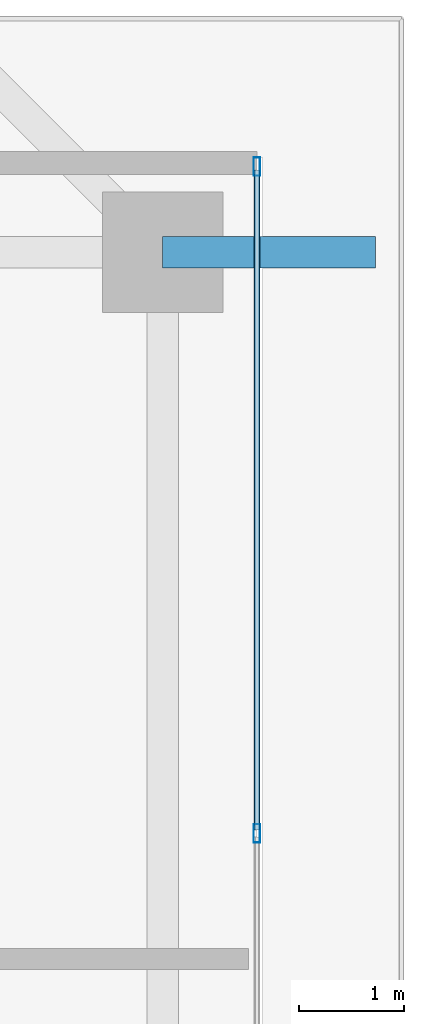
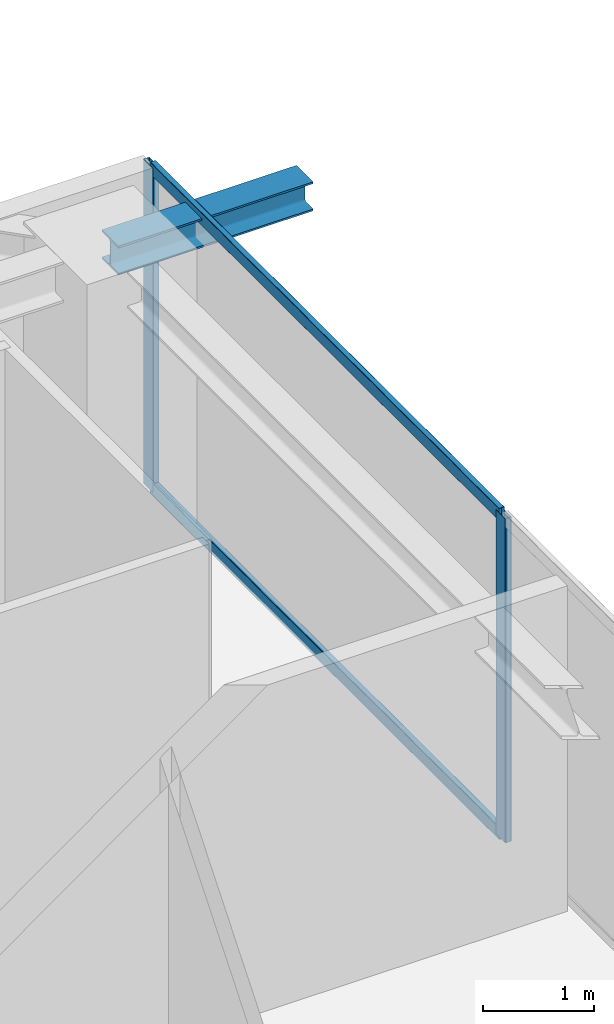
# One storey, part 21 of 35: 4 members, 1 beam, 1 element without a shape of its own.
"""IFC4 building model written with IfcOpenShell, lengths in metres."""

from ifc_helpers import new_model, si_unit, direction, frame, origin, origin_2d, place, context, subcontext, project, spatial, hollow_rectangle, i_section, extrude, source, transform, mapped, material, layer, layer_set, material_profile, profile_set, type_object, element, aggregate, save


model = new_model("IFC4")

# Units and contexts
model_context = context("Model", 3, precision=1e-05, world=origin(), true_north=direction((0.0, 1.0)))
body_context = subcontext(model_context, "Body", "Model", "MODEL_VIEW")
ifc_project = project(units=[si_unit("LENGTHUNIT", "METRE"), si_unit("AREAUNIT", "SQUARE_METRE"), si_unit("VOLUMEUNIT", "CUBIC_METRE"), si_unit("PLANEANGLEUNIT", "RADIAN"), si_unit("MASSUNIT", "GRAM", prefix="KILO")], contexts=[model_context])

# Site, building, storey
site_placement = place(None, origin())
site = spatial("IfcSite", under=ifc_project, at=site_placement, CompositionType="ELEMENT")
building_placement = place(site_placement, origin())
building = spatial("IfcBuilding", under=site, at=building_placement, Name="Serunith Strait Residences", CompositionType="ELEMENT")
storey_placement = place(building_placement, frame((0.0, 0.0, 210.449951171875)))
storey = spatial("IfcBuildingStorey", under=building, at=storey_placement, Name="L52", CompositionType="ELEMENT", Elevation=210.449951171875)

# Beam
ifc_material_1 = material(Name="Steel S355J2", Category="steel")
ifc_material_profile_1 = material_profile(ifc_material_1, i_section(OverallWidth=0.300048828125, OverallDepth=0.320068359375, WebThickness=0.011474609375, FlangeThickness=0.0205078125, FilletRadius=0.027099609375, at=origin_2d()), Name="HEB 320")
ifc_profile_set_1 = profile_set([ifc_material_profile_1], Name="Steel S355J2")
beam_type = type_object("IfcBeamType", Name="BM-HEB320", PredefinedType="BEAM", material=ifc_profile_set_1)
shared_shape_1 = source(origin(), body_context, "Body", "SweptSolid", [
    extrude(i_section(OverallWidth=0.300048828125, OverallDepth=0.320068359375, WebThickness=0.011474609375, FlangeThickness=0.0205078125, FilletRadius=0.027099609375, at=origin_2d()), origin(), (0.0, 0.0, 1.0), 2.030029296875),
])
beam_placement = place(storey_placement, frame((56.5, 40.35009765625, 3.39697265625), z_axis=(1.0, 0.0, 0.0), x_axis=(0.0, 1.0, 0.0)))
element("IfcBeam", 1, at=beam_placement, inside=storey, type_object=beam_type, Name="L53 Cantilevered Balcony Rib TC-E4", PredefinedType="BEAM", context=body_context, shape_type="MappedRepresentation", body=[
    mapped(shared_shape_1, transform((0.0, 0.0, 0.0), scale=1.0)),
])

# Curtain wall, members
ifc_material_2 = material(Name="Pale-Champagne Anodised Aluminium", Category="aluminium")
ifc_layer = layer(ifc_material_2, 0.199951171875, Name="Pale-Champagne Anodised Aluminium")
ifc_layer_set = layer_set([ifc_layer], Name="Pale-Champagne Anodised Aluminium")
curtain_wall_type = type_object("IfcCurtainWallType", Name="CW-SYS4", PredefinedType="NOTDEFINED", material=ifc_layer_set)
curtain_wall_placement = place(storey_placement, origin())
curtain_wall = element("IfcCurtainWall", 2, at=curtain_wall_placement, inside=storey, type_object=curtain_wall_type, Name="L52 E Unitised Fritted Curtain Wall", PredefinedType="NOTDEFINED")
ifc_material_profile_2 = material_profile(ifc_material_2, hollow_rectangle(XDim=0.06494140625, YDim=0.179931640625, WallThickness=0.00341796875, InnerFilletRadius=0.00537109375, OuterFilletRadius=0.0087890625, at=origin_2d()), Name="ALU 180x65x3.5")
ifc_profile_set_2 = profile_set([ifc_material_profile_2], Name="Pale-Champagne Anodised Aluminium")
member_type_1 = type_object("IfcMemberType", Name="CW-SYS4-MULL", PredefinedType="MULLION", material=ifc_profile_set_2)
shared_shape_2 = source(origin(), body_context, "Body", "SweptSolid", [
    extrude(hollow_rectangle(XDim=0.06494140625, YDim=0.179931640625, WallThickness=0.00341796875, InnerFilletRadius=0.00537109375, OuterFilletRadius=0.0087890625, at=origin_2d()), origin(), (0.0, 0.0, 1.0), 3.574951171875),
])
member_1_placement = place(storey_placement, frame((57.39990234375, 34.800048828125, 0.0), z_axis=(0.0, 0.0, 1.0), x_axis=(-1.0, 0.0, 0.0)))
member_1 = element("IfcMember", 3, at=member_1_placement, type_object=member_type_1, Name="CW-4 mullion 5", PredefinedType="MULLION", context=body_context, shape_type="MappedRepresentation", body=[
    mapped(shared_shape_2, transform((0.0, 0.0, 0.0), scale=1.0)),
])
member_2_placement = place(storey_placement, frame((57.39990234375, 41.16748046875, 0.0), z_axis=(0.0, 0.0, 1.0), x_axis=(-1.0, 0.0, 0.0)))
member_2 = element("IfcMember", 4, at=member_2_placement, type_object=member_type_1, Name="CW-4 mullion 6", PredefinedType="MULLION", context=body_context, shape_type="MappedRepresentation", body=[
    mapped(shared_shape_2, transform((0.0, 0.0, 0.0), scale=1.0)),
])
ifc_material_profile_3 = material_profile(ifc_material_2, hollow_rectangle(XDim=0.06005859375, YDim=0.139892578125, WallThickness=0.00341796875, InnerFilletRadius=0.00537109375, OuterFilletRadius=0.0087890625, at=origin_2d()), Name="ALU 140x60x3.5")
ifc_profile_set_3 = profile_set([ifc_material_profile_3], Name="Pale-Champagne Anodised Aluminium")
member_type_2 = type_object("IfcMemberType", Name="CW-SYS4-TRAN", PredefinedType="USERDEFINED", material=ifc_profile_set_3)
shared_shape_3 = source(origin(), body_context, "Body", "SweptSolid", [
    extrude(hollow_rectangle(XDim=0.06005859375, YDim=0.139892578125, WallThickness=0.00341796875, InnerFilletRadius=0.00537109375, OuterFilletRadius=0.0087890625, at=origin_2d()), origin(), (0.0, 0.0, 1.0), 6.302490234375),
])
member_3_placement = place(storey_placement, frame((57.39990234375, 34.83251953125, 0.030029296875), z_axis=(0.0, 1.0, 0.0), x_axis=(-1.0, 0.0, 0.0)))
member_3 = element("IfcMember", 5, at=member_3_placement, type_object=member_type_2, Name="CW-4 transom 5.1", ObjectType="TRANSOM", PredefinedType="USERDEFINED", context=body_context, shape_type="MappedRepresentation", body=[
    mapped(shared_shape_3, transform((0.0, 0.0, 0.0), scale=1.0)),
])
member_4_placement = place(storey_placement, frame((57.39990234375, 34.83251953125, 3.545166015625), z_axis=(0.0, 1.0, 0.0), x_axis=(-1.0, 0.0, 0.0)))
member_4 = element("IfcMember", 6, at=member_4_placement, type_object=member_type_2, Name="CW-4 transom 5.2", ObjectType="TRANSOM", PredefinedType="USERDEFINED", context=body_context, shape_type="MappedRepresentation", body=[
    mapped(shared_shape_3, transform((0.0, 0.0, 0.0), scale=1.0)),
])
aggregate(curtain_wall, [member_1, member_2, member_3, member_4])

save(model, "model.ifc")
